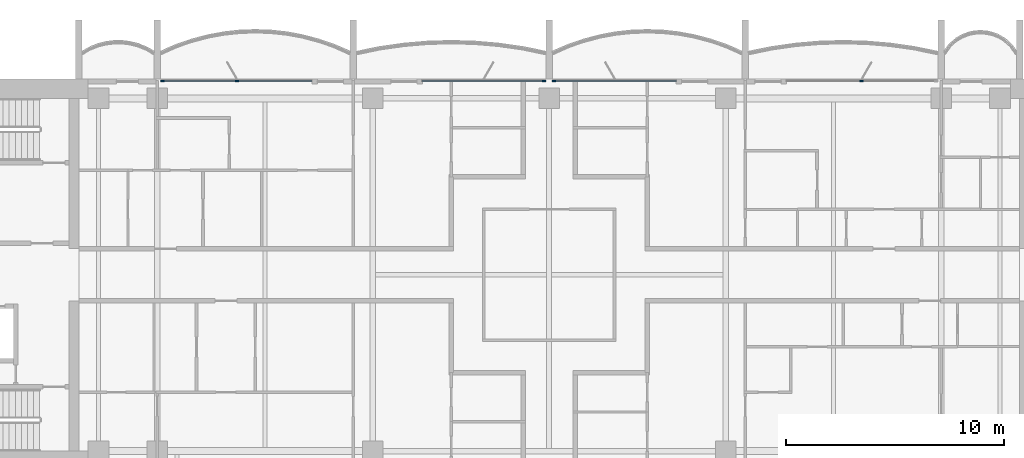
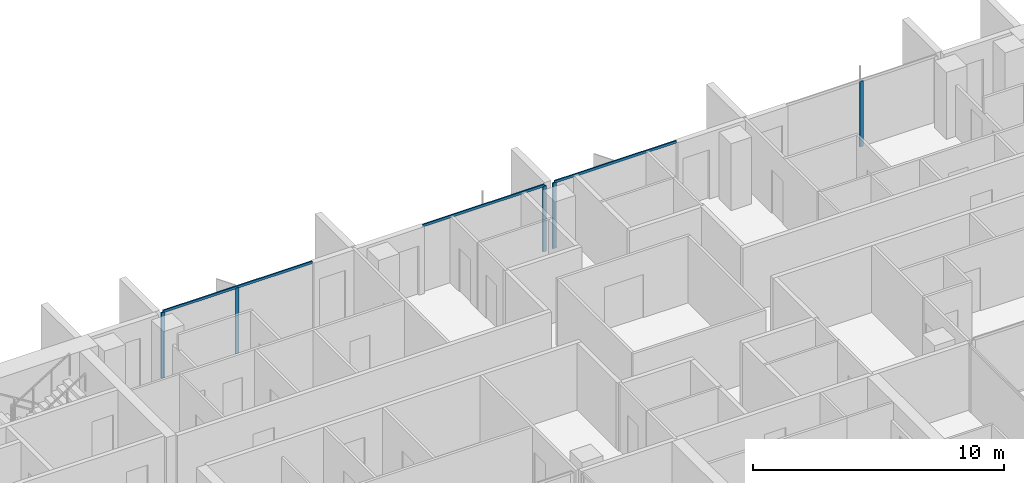
# One storey, part 5 of 18: 8 members, 4 elements without a shape of their own.
"""IFC4 building model written with IfcOpenShell, lengths in metres."""

from ifc_helpers import new_model, si_unit, direction, frame, origin, origin_2d, place, context, subcontext, project, spatial, rectangle, extrude, material, material_profile, profile_set, type_object, element, aggregate, save


model = new_model("IFC4")

# Units and contexts
model_context = context("Model", 3, precision=1e-05, world=origin(), true_north=direction((0.0, 1.0)))
body_context = subcontext(model_context, "Body", "Model", "MODEL_VIEW")
ifc_project = project(units=[si_unit("LENGTHUNIT", "METRE"), si_unit("AREAUNIT", "SQUARE_METRE"), si_unit("VOLUMEUNIT", "CUBIC_METRE"), si_unit("PLANEANGLEUNIT", "RADIAN"), si_unit("MASSUNIT", "GRAM", prefix="KILO")], contexts=[model_context])

# Site, building, storey
site_placement = place(None, origin())
site = spatial("IfcSite", under=ifc_project, at=site_placement, CompositionType="ELEMENT")
building_placement = place(site_placement, origin())
building = spatial("IfcBuilding", under=site, at=building_placement, Name="Perihelion Cross Residences", CompositionType="ELEMENT")
storey_placement = place(building_placement, frame((0.0, 0.0, 173.60009765625)))
storey = spatial("IfcBuildingStorey", under=building, at=storey_placement, Name="L42", CompositionType="ELEMENT", Elevation=173.60009765625)

# Curtain wall, member
ifc_material_1 = material(Name="Bronze anodised aluminium, tinted glazing", Category="aluminium")
curtain_wall_type = type_object("IfcCurtainWallType", Name="CW1", PredefinedType="NOTDEFINED", material=ifc_material_1)
curtain_wall_1_placement = place(storey_placement, origin())
curtain_wall_1 = element("IfcCurtainWall", 1, at=curtain_wall_1_placement, inside=storey, type_object=curtain_wall_type, Name="Curtain wall CW1 L42 east side north bay 2", PredefinedType="NOTDEFINED")
ifc_material_2 = material(Name="Bronze anodised aluminium", Category="aluminium")
ifc_material_profile_1 = material_profile(ifc_material_2, rectangle(XDim=0.06005859375, YDim=0.159912109375, at=origin_2d()), Name="CW1 mullion")
ifc_profile_set_1 = profile_set([ifc_material_profile_1], Name="Bronze anodised aluminium")
member_type_1 = type_object("IfcMemberType", Name="CW1 mullion", PredefinedType="MULLION", material=ifc_profile_set_1)
member_1_placement = place(storey_placement, frame((14.35009765625, 8.89990234375, 0.0), z_axis=(0.0, 0.0, 1.0), x_axis=(0.0, -1.0, 0.0)))
member_1 = element("IfcMember", 2, at=member_1_placement, type_object=member_type_1, Name="CW1 mullion 2", PredefinedType="MULLION", context=body_context, shape_type="SweptSolid", body=[
    extrude(rectangle(XDim=0.06005859375, YDim=0.159912109375, at=origin_2d()), origin(), (0.0, 0.0, 1.0), 3.18994140625),
])
aggregate(curtain_wall_1, [member_1])

curtain_wall_2_placement = place(storey_placement, origin())
curtain_wall_2 = element("IfcCurtainWall", 3, at=curtain_wall_2_placement, inside=storey, type_object=curtain_wall_type, Name="Curtain wall CW1 L42 north side east bay 1", PredefinedType="NOTDEFINED")
member_2_placement = place(storey_placement, frame((0.22998046875, 8.89990234375, 0.0), z_axis=(0.0, 0.0, 1.0), x_axis=(0.0, -1.0, 0.0)))
member_2 = element("IfcMember", 4, at=member_2_placement, type_object=member_type_1, Name="CW1 mullion 2", PredefinedType="MULLION", context=body_context, shape_type="SweptSolid", body=[
    extrude(rectangle(XDim=0.06005859375, YDim=0.159912109375, at=origin_2d()), origin(), (0.0, 0.0, 1.0), 3.18994140625),
])

curtain_wall_3_placement = place(storey_placement, origin())
curtain_wall_3 = element("IfcCurtainWall", 5, at=curtain_wall_3_placement, inside=storey, type_object=curtain_wall_type, Name="Curtain wall CW1 L42 north side east bay 2", PredefinedType="NOTDEFINED")
member_3_placement = place(storey_placement, frame((-0.22998046875, 8.89990234375, 0.0), z_axis=(0.0, 0.0, 1.0), x_axis=(0.0, -1.0, 0.0)))
member_3 = element("IfcMember", 6, at=member_3_placement, type_object=member_type_1, Name="CW1 mullion 1", PredefinedType="MULLION", context=body_context, shape_type="SweptSolid", body=[
    extrude(rectangle(XDim=0.06005859375, YDim=0.159912109375, at=origin_2d()), origin(), (0.0, 0.0, 1.0), 3.18994140625),
])

# Curtain wall, members
curtain_wall_4_placement = place(storey_placement, origin())
curtain_wall_4 = element("IfcCurtainWall", 7, at=curtain_wall_4_placement, inside=storey, type_object=curtain_wall_type, Name="Curtain wall CW1 L42 west side north bay 1", PredefinedType="NOTDEFINED")
member_4_placement = place(storey_placement, frame((-14.35009765625, 8.89990234375, 0.0), z_axis=(0.0, 0.0, 1.0), x_axis=(0.0, -1.0, 0.0)))
member_4 = element("IfcMember", 8, at=member_4_placement, type_object=member_type_1, Name="CW1 mullion 2", PredefinedType="MULLION", context=body_context, shape_type="SweptSolid", body=[
    extrude(rectangle(XDim=0.06005859375, YDim=0.159912109375, at=origin_2d()), origin(), (0.0, 0.0, 1.0), 3.18994140625),
])
member_5_placement = place(storey_placement, frame((-17.77001953125, 8.89990234375, 0.0), z_axis=(0.0, 0.0, 1.0), x_axis=(0.0, -1.0, 0.0)))
member_5 = element("IfcMember", 9, at=member_5_placement, type_object=member_type_1, Name="CW1 mullion 3", PredefinedType="MULLION", context=body_context, shape_type="SweptSolid", body=[
    extrude(rectangle(XDim=0.06005859375, YDim=0.159912109375, at=origin_2d()), origin(), (0.0, 0.0, 1.0), 3.18994140625),
])

# Member
ifc_material_3 = material(Name="Bronze anodised aluminium", Category="aluminium")
ifc_material_profile_2 = material_profile(ifc_material_3, rectangle(XDim=0.06005859375, YDim=0.1201171875, at=origin_2d()), Name="CW1 transom")
ifc_profile_set_2 = profile_set([ifc_material_profile_2], Name="Bronze anodised aluminium")
member_type_2 = type_object("IfcMemberType", Name="CW1 transom", PredefinedType="USERDEFINED", material=ifc_profile_set_2)
member_6_placement = place(storey_placement, frame((5.824951171875, 8.89990234375, 3.219970703125), z_axis=(-1.0, 0.0, 0.0), x_axis=(0.0, -1.0, 0.0)))
member_6 = element("IfcMember", 10, at=member_6_placement, type_object=member_type_2, Name="CW1 head transom", ObjectType="TRANSOM", PredefinedType="USERDEFINED", context=body_context, shape_type="SweptSolid", body=[
    extrude(rectangle(XDim=0.06005859375, YDim=0.1201171875, at=origin_2d()), origin(), (0.0, 0.0, 1.0), 5.594970703125),
])

aggregate(curtain_wall_2, [member_2, member_6])

member_7_placement = place(storey_placement, frame((-0.22998046875, 8.89990234375, 3.219970703125), z_axis=(-1.0, 0.0, 0.0), x_axis=(0.0, -1.0, 0.0)))
member_7 = element("IfcMember", 11, at=member_7_placement, type_object=member_type_2, Name="CW1 head transom", ObjectType="TRANSOM", PredefinedType="USERDEFINED", context=body_context, shape_type="SweptSolid", body=[
    extrude(rectangle(XDim=0.06005859375, YDim=0.1201171875, at=origin_2d()), origin(), (0.0, 0.0, 1.0), 5.594970703125),
])

aggregate(curtain_wall_3, [member_3, member_7])

member_8_placement = place(storey_placement, frame((-10.89990234375, 8.89990234375, 3.219970703125), z_axis=(-1.0, 0.0, 0.0), x_axis=(0.0, -1.0, 0.0)))
member_8 = element("IfcMember", 12, at=member_8_placement, type_object=member_type_2, Name="CW1 head transom", ObjectType="TRANSOM", PredefinedType="USERDEFINED", context=body_context, shape_type="SweptSolid", body=[
    extrude(rectangle(XDim=0.06005859375, YDim=0.1201171875, at=origin_2d()), origin(), (0.0, 0.0, 1.0), 6.8701171875),
])

aggregate(curtain_wall_4, [member_4, member_5, member_8])

save(model, "model.ifc")
